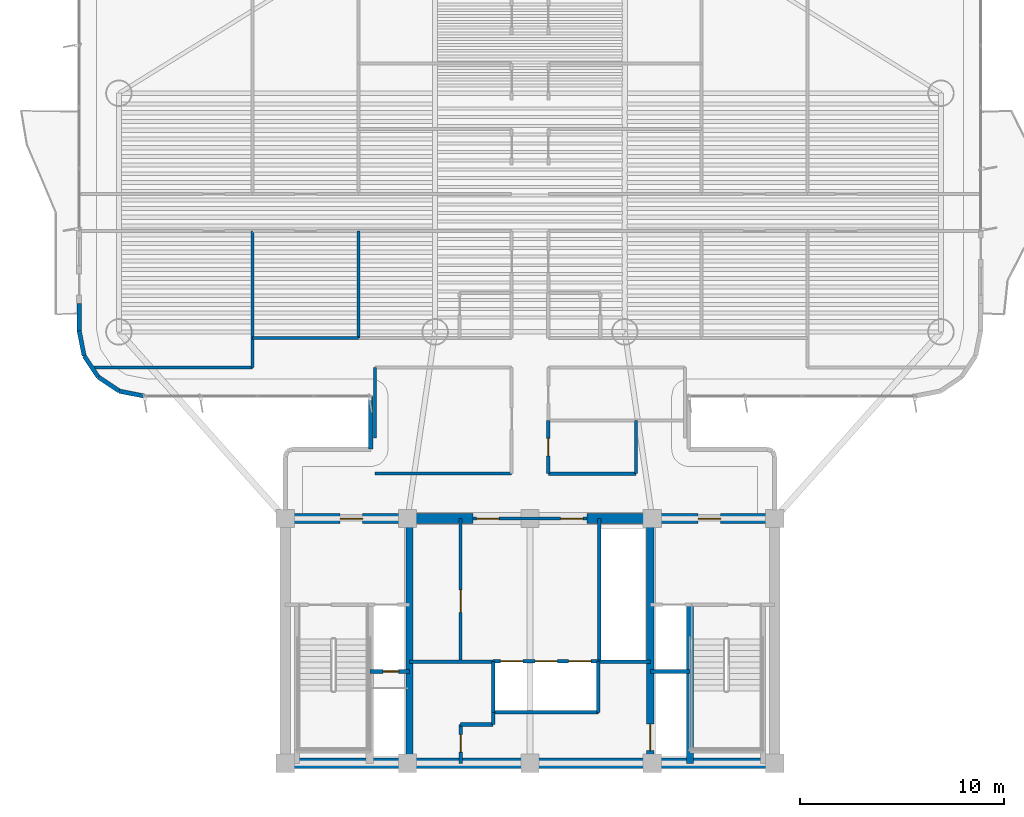
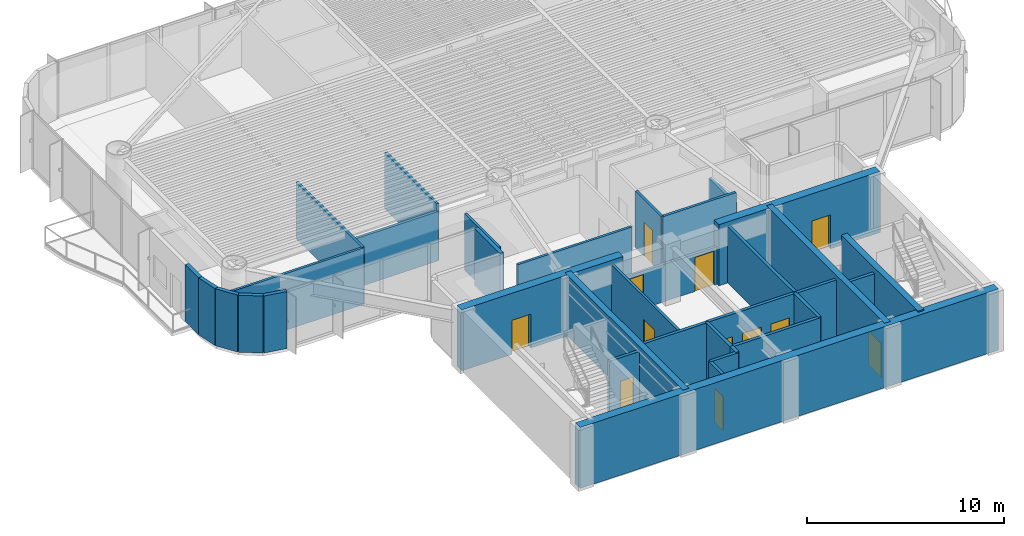
# One storey, part 9 of 16: 35 walls, 12 doors, 12 openings.
"""IFC4 building model written with IfcOpenShell, lengths in metres."""

from ifc_helpers import new_model, si_unit, direction, frame, frame_2d, origin, origin_2d, place, context, subcontext, project, spatial, rectangle, extrude, source, transform, mapped, material, layer, layer_set, type_object, element, fill, save


model = new_model("IFC4")

# Units and contexts
model_context = context("Model", 3, precision=1e-05, world=origin(), true_north=direction((0.0, 1.0)))
body_context = subcontext(model_context, "Body", "Model", "MODEL_VIEW")
ifc_project = project(units=[si_unit("LENGTHUNIT", "METRE"), si_unit("AREAUNIT", "SQUARE_METRE"), si_unit("VOLUMEUNIT", "CUBIC_METRE"), si_unit("PLANEANGLEUNIT", "RADIAN"), si_unit("MASSUNIT", "GRAM", prefix="KILO")], contexts=[model_context])

# Site, building, storey
site_placement = place(None, origin())
site = spatial("IfcSite", under=ifc_project, at=site_placement, CompositionType="ELEMENT")
building_placement = place(site_placement, origin())
building = spatial("IfcBuilding", under=site, at=building_placement, Name="Brelvock Crest Care Tower", CompositionType="ELEMENT")
storey_placement = place(building_placement, frame((0.0, 0.0, 104.93994140625)))
storey = spatial("IfcBuildingStorey", under=building, at=storey_placement, Name="L26", CompositionType="ELEMENT", Elevation=104.93994140625)

# Wall
ifc_material_1 = material(Name="Concrete S80 (80 MPa)", Category="concrete")
ifc_layer_1 = layer(ifc_material_1, 0.5, Name="WL-CS2")
ifc_layer_set_1 = layer_set([ifc_layer_1], Name="Concrete S80 (80 MPa)")
wall_type_1 = type_object("IfcWallType", Name="WL-CS2", PredefinedType="SHEAR", material=ifc_layer_set_1)
wall_1_placement = place(storey_placement, frame((48.25, 6.0, 0.0), z_axis=(0.0, 0.0, 1.0), x_axis=(-1.0, 0.0, 0.0)))
element("IfcWall", 1, at=wall_1_placement, inside=storey, type_object=wall_type_1, Name="L26 Core South Shear Wall", PredefinedType="SHEAR", context=body_context, shape_type="SweptSolid", body=[
    extrude(rectangle(XDim=24.5, YDim=0.5, at=frame_2d((12.25, 0.0))), origin(), (0.0, 0.0, 1.0), 3.780029296875),
])

# Wall, opening, door
wall_2_placement = place(storey_placement, frame((23.75, 18.0, 0.0), z_axis=(0.0, 0.0, 1.0), x_axis=(1.0, 0.0, 0.0)))
wall_2 = element("IfcWall", 2, at=wall_2_placement, inside=storey, type_object=wall_type_1, Name="L26 Core North-West Shear Wall", PredefinedType="SHEAR", context=body_context, shape_type="SweptSolid", body=[
    extrude(rectangle(XDim=9.449951171875, YDim=0.5, at=frame_2d((4.72509765625, 0.0))), origin(), (0.0, 0.0, 1.0), 3.780029296875),
])
opening_1_placement = place(wall_2_placement, frame((2.949951171875, 0.0, 0.0)))
opening_1 = element("IfcOpeningElement", 3, at=opening_1_placement, cuts=wall_2, Name="Opening FD-1", PredefinedType="OPENING", context=body_context, shape_type="SweptSolid", body=[
    extrude(rectangle(XDim=1.10009765625, YDim=2.10009765625, at=origin_2d()), frame((0.550048828125, 0.260009765625, 1.050048828125), z_axis=(0.0, -1.0, 0.0), x_axis=(1.0, 0.0, 0.0)), (0.0, 0.0, 1.0), 0.52001953125),
])
ifc_material_2 = material(Name="Steel Grade 350", Category="steel")
door_type_1 = type_object("IfcDoorType", Name="DR-FFL1", OperationType="NOTDEFINED", PredefinedType="DOOR", material=ifc_material_2)
shared_shape_1 = source(origin(), body_context, "Body", "SweptSolid", [
    extrude(rectangle(XDim=1.10009765625, YDim=2.10009765625, at=origin_2d()), frame((0.550048828125, 0.02490234375, 1.050048828125), z_axis=(0.0, -1.0, 0.0), x_axis=(1.0, 0.0, 0.0)), (0.0, 0.0, 1.0), 0.050048828125),
])
door_1_placement = place(opening_1_placement, origin())
door_1 = element("IfcDoor", 4, at=door_1_placement, inside=storey, type_object=door_type_1, Name="L26 Firefighting Lobby FFL-1 Exit Door", OperationType="SINGLE_SWING_LEFT", OverallHeight=2.10009765625, OverallWidth=1.10009765625, PredefinedType="DOOR", context=body_context, shape_type="MappedRepresentation", body=[
    mapped(shared_shape_1, transform((0.0, 0.0, 0.0), x_axis=(1.0, 0.0, 0.0), y_axis=(0.0, 1.0, 0.0), z_axis=(0.0, 0.0, 1.0), scale=1.0)),
])
fill(opening_1, door_1)

wall_3_placement = place(storey_placement, frame((38.800048828125, 18.0, 0.0), z_axis=(0.0, 0.0, 1.0), x_axis=(1.0, 0.0, 0.0)))
wall_3 = element("IfcWall", 5, at=wall_3_placement, inside=storey, type_object=wall_type_1, Name="L26 Core North-East Shear Wall", PredefinedType="SHEAR", context=body_context, shape_type="SweptSolid", body=[
    extrude(rectangle(XDim=9.449951171875, YDim=0.5, at=frame_2d((4.72509765625, 0.0))), origin(), (0.0, 0.0, 1.0), 3.780029296875),
])
opening_2_placement = place(wall_3_placement, frame((5.449951171875, 0.0, 0.0)))
opening_2 = element("IfcOpeningElement", 6, at=opening_2_placement, cuts=wall_3, Name="Opening FD-1", PredefinedType="OPENING", context=body_context, shape_type="SweptSolid", body=[
    extrude(rectangle(XDim=1.10009765625, YDim=2.10009765625, at=origin_2d()), frame((0.550048828125, 0.260009765625, 1.050048828125), z_axis=(0.0, -1.0, 0.0), x_axis=(1.0, 0.0, 0.0)), (0.0, 0.0, 1.0), 0.52001953125),
])
door_2_placement = place(opening_2_placement, origin())
door_2 = element("IfcDoor", 7, at=door_2_placement, inside=storey, type_object=door_type_1, Name="L26 Firefighting Lobby FFL-2 Exit Door", OperationType="SINGLE_SWING_RIGHT", OverallHeight=2.10009765625, OverallWidth=1.10009765625, PredefinedType="DOOR", context=body_context, shape_type="MappedRepresentation", body=[
    mapped(shared_shape_1, transform((0.0, 0.0, 0.0), x_axis=(1.0, 0.0, 0.0), y_axis=(0.0, 1.0, 0.0), z_axis=(0.0, 0.0, 1.0), scale=1.0)),
])
fill(opening_2, door_2)

# Wall
ifc_layer_2 = layer(ifc_material_1, 0.35009765625, Name="WL-CS5")
ifc_layer_set_2 = layer_set([ifc_layer_2], Name="Concrete S80 (80 MPa)")
wall_type_2 = type_object("IfcWallType", Name="WL-CS5", PredefinedType="SHEAR", material=ifc_layer_set_2)
wall_4_placement = place(storey_placement, frame((30.10009765625, 6.0, 0.0), z_axis=(0.0, 0.0, 1.0), x_axis=(0.0, 1.0, 0.0)))
element("IfcWall", 8, at=wall_4_placement, inside=storey, type_object=wall_type_2, Name="L26 Core Internal Web Wall West", PredefinedType="SHEAR", context=body_context, shape_type="SweptSolid", body=[
    extrude(rectangle(XDim=12.0, YDim=0.35009765625, at=frame_2d((6.0, 0.0))), origin(), (0.0, 0.0, 1.0), 3.780029296875),
])

# Wall, opening, door
wall_5_placement = place(storey_placement, frame((41.89990234375, 18.0, 0.0), z_axis=(0.0, 0.0, 1.0), x_axis=(0.0, -1.0, 0.0)))
wall_5 = element("IfcWall", 9, at=wall_5_placement, inside=storey, type_object=wall_type_2, Name="L26 Core Internal Web Wall East", PredefinedType="SHEAR", context=body_context, shape_type="SweptSolid", body=[
    extrude(rectangle(XDim=12.0, YDim=0.35009765625, at=frame_2d((6.0, 0.0))), origin(), (0.0, 0.0, 1.0), 3.780029296875),
])
opening_3_placement = place(wall_5_placement, frame((10.080078125, 0.0, 0.0)))
opening_3 = element("IfcOpeningElement", 10, at=opening_3_placement, cuts=wall_5, Name="Opening LD-S", PredefinedType="OPENING", context=body_context, shape_type="SweptSolid", body=[
    extrude(rectangle(XDim=1.300048828125, YDim=2.10009765625, at=origin_2d()), frame((0.64990234375, 0.18505859375, 1.050048828125), z_axis=(0.0, -1.0, 0.0), x_axis=(1.0, 0.0, 0.0)), (0.0, 0.0, 1.0), 0.3701171875),
])
door_type_2 = type_object("IfcDoorType", Name="DR-LDS1", OperationType="NOTDEFINED", PredefinedType="DOOR", material=ifc_material_2)
shared_shape_2 = source(origin(), body_context, "Body", "SweptSolid", [
    extrude(rectangle(XDim=1.300048828125, YDim=2.10009765625, at=origin_2d()), frame((0.64990234375, 0.02490234375, 1.050048828125), z_axis=(0.0, -1.0, 0.0), x_axis=(1.0, 0.0, 0.0)), (0.0, 0.0, 1.0), 0.050048828125),
])
door_3_placement = place(opening_3_placement, origin())
door_3 = element("IfcDoor", 11, at=door_3_placement, inside=storey, type_object=door_type_2, Name="L26 Clinical Bed Lift SL-1 Landing Door", OperationType="SLIDING_TO_LEFT", OverallHeight=2.10009765625, OverallWidth=1.300048828125, PredefinedType="DOOR", context=body_context, shape_type="MappedRepresentation", body=[
    mapped(shared_shape_2, transform((0.0, 0.0, 0.0), x_axis=(1.0, 0.0, 0.0), y_axis=(0.0, 1.0, 0.0), z_axis=(0.0, 0.0, 1.0), scale=1.0)),
])
fill(opening_3, door_3)

# Walls
wall_6_placement = place(storey_placement, frame((43.85009765625, 6.0, 0.0), z_axis=(0.0, 0.0, 1.0), x_axis=(0.0, 1.0, 0.0)))
element("IfcWall", 12, at=wall_6_placement, inside=storey, type_object=wall_type_2, Name="L26 Core Stair ST-2 West Shear Wall", PredefinedType="SHEAR", context=body_context, shape_type="SweptSolid", body=[
    extrude(rectangle(XDim=7.780029296875, YDim=0.35009765625, at=frame_2d((3.89013671875, 0.0))), origin(), (0.0, 0.0, 1.0), 3.85009765625),
])
ifc_material_3 = material(Name="Precast concrete N40 (40 MPa)", Category="concrete")
ifc_layer_3 = layer(ifc_material_3, 0.215087890625, Name="WL-EX2")
ifc_layer_set_3 = layer_set([ifc_layer_3], Name="Precast concrete N40 (40 MPa)")
wall_type_3 = type_object("IfcWallType", Name="WL-EX2", PredefinedType="SOLIDWALL", material=ifc_layer_set_3)
wall_7_placement = place(storey_placement, frame((28.199951171875, 21.39990234375, 0.0), z_axis=(0.0, 0.0, 1.0), x_axis=(0.0, 1.0, 0.0)))
element("IfcWall", 13, at=wall_7_placement, inside=storey, type_object=wall_type_3, Name="L26 Rounded Corner Wall 11", PredefinedType="SOLIDWALL", context=body_context, shape_type="SweptSolid", body=[
    extrude(rectangle(XDim=2.60009765625, YDim=0.215087890625, at=frame_2d((1.300048828125, 0.0))), origin(), (0.0, 0.0, 1.0), 3.530029296875),
])
for number, where, z_axis, x_axis, name in (
    (14, (17.10009765625, 24.0, 0.0), (0.0, 0.0, 1.0), (-0.980775717779, 0.195138390419, 0.0), "L26 Rounded Corner Wall 13"),
    (15, (15.87548828125, 24.24365234375, 0.0), (0.0, 0.0, 1.0), (-0.831478245117, 0.555557312883, 0.0), "L26 Rounded Corner Wall 14"),
    (16, (14.83740234375, 24.937255859375, 0.0), (0.0, 0.0, 1.0), (-0.555692485475, 0.831387912822, 0.0), "L26 Rounded Corner Wall 15"),
    (17, (14.1435546875, 25.975341796875, 0.0), (0.0, 0.0, 1.0), (-0.195138390419, 0.980775717779, 0.0), "L26 Rounded Corner Wall 16"),
):
    element("IfcWall", number, at=place(storey_placement, frame(where, z_axis=z_axis, x_axis=x_axis)), inside=storey, type_object=wall_type_3, Name=name, PredefinedType="SOLIDWALL", context=body_context, shape_type="SweptSolid", body=[
        extrude(rectangle(XDim=1.24853515625, YDim=0.215087890625, at=frame_2d((0.624267578125, 0.0))), origin(), (0.0, 0.0, 1.0), 3.530029296875),
    ])
wall_8_placement = place(storey_placement, frame((13.89990234375, 27.199951171875, 0.0), z_axis=(0.0, 0.0, 1.0), x_axis=(0.0, 1.0, 0.0)))
element("IfcWall", 18, at=wall_8_placement, inside=storey, type_object=wall_type_3, Name="L26 Exterior Spandrel Pier E17A", PredefinedType="SOLIDWALL", context=body_context, shape_type="SweptSolid", body=[
    extrude(rectangle(XDim=1.35009765625, YDim=0.215087890625, at=frame_2d((0.675048828125, 0.0))), origin(), (0.0, 0.0, 1.0), 3.530029296875),
])

# Wall, opening, door
ifc_material_4 = material(Name="Masonry Blockwork Acoustic Partition", Category="masonry")
ifc_layer_4 = layer(ifc_material_4, 0.14990234375, Name="WL-INT1")
ifc_layer_set_4 = layer_set([ifc_layer_4], Name="Masonry Blockwork Acoustic Partition")
wall_type_4 = type_object("IfcWallType", Name="WL-INT1", PredefinedType="PARTITIONING", material=ifc_layer_set_4)
wall_9_placement = place(storey_placement, frame((32.60009765625, 11.0, 0.0), z_axis=(0.0, 0.0, 1.0), x_axis=(0.0, 1.0, 0.0)))
wall_9 = element("IfcWall", 19, at=wall_9_placement, inside=storey, type_object=wall_type_4, Name="L26 Interior Wall WL-CRCL-E-L26", PredefinedType="PARTITIONING", context=body_context, shape_type="SweptSolid", body=[
    extrude(rectangle(XDim=7.0, YDim=0.14990234375, at=frame_2d((3.5, 0.0))), origin(), (0.0, 0.0, 1.0), 3.5),
])
opening_4_placement = place(wall_9_placement, frame((2.39990234375, 0.0, 0.0)))
opening_4 = element("IfcOpeningElement", 20, at=opening_4_placement, cuts=wall_9, Name="Opening PD-1", PredefinedType="OPENING", context=body_context, shape_type="SweptSolid", body=[
    extrude(rectangle(XDim=1.10009765625, YDim=2.10009765625, at=origin_2d()), frame((0.550048828125, 0.0849609375, 1.050048828125), z_axis=(0.0, -1.0, 0.0), x_axis=(1.0, 0.0, 0.0)), (0.0, 0.0, 1.0), 0.169921875),
])
door_type_3 = type_object("IfcDoorType", Name="DR-PLT1", OperationType="NOTDEFINED", PredefinedType="DOOR", material=ifc_material_2)
shared_shape_3 = source(origin(), body_context, "Body", "SweptSolid", [
    extrude(rectangle(XDim=1.10009765625, YDim=2.10009765625, at=origin_2d()), frame((0.550048828125, 0.02490234375, 1.050048828125), z_axis=(0.0, -1.0, 0.0), x_axis=(1.0, 0.0, 0.0)), (0.0, 0.0, 1.0), 0.050048828125),
])
door_4_placement = place(opening_4_placement, origin())
door_4 = element("IfcDoor", 21, at=door_4_placement, inside=storey, type_object=door_type_3, Name="DR-CRCL1-L26", OperationType="SINGLE_SWING_LEFT", OverallHeight=2.10009765625, OverallWidth=1.10009765625, PredefinedType="DOOR", context=body_context, shape_type="MappedRepresentation", body=[
    mapped(shared_shape_3, transform((0.0, 0.0, 0.0), x_axis=(1.0, 0.0, 0.0), y_axis=(0.0, 1.0, 0.0), z_axis=(0.0, 0.0, 1.0), scale=1.0)),
])
fill(opening_4, door_4)

# Wall, openings, doors
wall_10_placement = place(storey_placement, frame((33.199951171875, 18.0, 0.0), z_axis=(0.0, 0.0, 1.0), x_axis=(1.0, 0.0, 0.0)))
wall_10 = element("IfcWall", 22, at=wall_10_placement, inside=storey, type_object=wall_type_4, Name="L26 Interior Wall WL-CORE-NPORT-L26", PredefinedType="PARTITIONING", context=body_context, shape_type="SweptSolid", body=[
    extrude(rectangle(XDim=5.60009765625, YDim=0.14990234375, at=frame_2d((2.800048828125, 0.0))), origin(), (0.0, 0.0, 1.0), 2.31494140625),
])
opening_5_placement = place(wall_10_placement, frame((0.18994140625, 0.0, 0.0)))
opening_5 = element("IfcOpeningElement", 23, at=opening_5_placement, cuts=wall_10, Name="Opening FD-1", PredefinedType="OPENING", context=body_context, shape_type="SweptSolid", body=[
    extrude(rectangle(XDim=1.10009765625, YDim=2.10009765625, at=origin_2d()), frame((0.550048828125, 0.0849609375, 1.050048828125), z_axis=(0.0, -1.0, 0.0), x_axis=(1.0, 0.0, 0.0)), (0.0, 0.0, 1.0), 0.169921875),
])
opening_6_placement = place(wall_10_placement, frame((4.31005859375, 0.0, 0.0)))
opening_6 = element("IfcOpeningElement", 24, at=opening_6_placement, cuts=wall_10, Name="Opening FD-1", PredefinedType="OPENING", context=body_context, shape_type="SweptSolid", body=[
    extrude(rectangle(XDim=1.10009765625, YDim=2.10009765625, at=origin_2d()), frame((0.550048828125, 0.0849609375, 1.050048828125), z_axis=(0.0, -1.0, 0.0), x_axis=(1.0, 0.0, 0.0)), (0.0, 0.0, 1.0), 0.169921875),
])
door_5_placement = place(opening_5_placement, origin())
door_5 = element("IfcDoor", 25, at=door_5_placement, inside=storey, type_object=door_type_1, Name="L26 Lift Lobby North Smoke Door West", OperationType="SINGLE_SWING_LEFT", OverallHeight=2.10009765625, OverallWidth=1.10009765625, PredefinedType="DOOR", context=body_context, shape_type="MappedRepresentation", body=[
    mapped(shared_shape_1, transform((0.0, 0.0, 0.0), x_axis=(1.0, 0.0, 0.0), y_axis=(0.0, 1.0, 0.0), z_axis=(0.0, 0.0, 1.0), scale=1.0)),
])
fill(opening_5, door_5)
door_6_placement = place(opening_6_placement, origin())
door_6 = element("IfcDoor", 26, at=door_6_placement, inside=storey, type_object=door_type_1, Name="L26 Lift Lobby North Smoke Door East", OperationType="SINGLE_SWING_RIGHT", OverallHeight=2.10009765625, OverallWidth=1.10009765625, PredefinedType="DOOR", context=body_context, shape_type="MappedRepresentation", body=[
    mapped(shared_shape_1, transform((0.0, 0.0, 0.0), x_axis=(1.0, 0.0, 0.0), y_axis=(0.0, 1.0, 0.0), z_axis=(0.0, 0.0, 1.0), scale=1.0)),
])
fill(opening_6, door_6)

# Walls
wall_11_placement = place(storey_placement, frame((28.39990234375, 20.199951171875, 0.0), z_axis=(0.0, 0.0, 1.0), x_axis=(1.0, 0.0, 0.0)))
element("IfcWall", 27, at=wall_11_placement, inside=storey, type_object=wall_type_4, Name="L26 Interior Wall WL-BX-L26-THW-S", PredefinedType="PARTITIONING", context=body_context, shape_type="SweptSolid", body=[
    extrude(rectangle(XDim=6.7001953125, YDim=0.14990234375, at=frame_2d((3.35009765625, 0.0))), origin(), (0.0, 0.0, 1.0), 3.5),
])
wall_12_placement = place(storey_placement, frame((14.624267578125, 25.39990234375, 0.0), z_axis=(0.0, 0.0, 1.0), x_axis=(1.0, 0.0, 0.0)))
element("IfcWall", 28, at=wall_12_placement, inside=storey, type_object=wall_type_4, Name="L26 Interior Wall WL-BX-L26-SWB-S2", PredefinedType="PARTITIONING", context=body_context, shape_type="SweptSolid", body=[
    extrude(rectangle(XDim=7.775634765625, YDim=0.14990234375, at=frame_2d((3.8876953125, 0.0))), origin(), (0.0, 0.0, 1.0), 3.5),
])
wall_13_placement = place(storey_placement, frame((22.39990234375, 26.85009765625, 0.0), z_axis=(0.0, 0.0, 1.0), x_axis=(1.0, 0.0, 0.0)))
element("IfcWall", 29, at=wall_13_placement, inside=storey, type_object=wall_type_4, Name="L26 Interior Wall WL-BX-L26-ISWD-S", PredefinedType="PARTITIONING", context=body_context, shape_type="SweptSolid", body=[
    extrude(rectangle(XDim=5.2001953125, YDim=0.14990234375, at=frame_2d((2.60009765625, 0.0))), origin(), (0.0, 0.0, 1.0), 3.05517578125),
])
wall_14_placement = place(storey_placement, frame((22.39990234375, 25.39990234375, 0.0), z_axis=(0.0, 0.0, 1.0), x_axis=(0.0, 1.0, 0.0)))
element("IfcWall", 30, at=wall_14_placement, inside=storey, type_object=wall_type_4, Name="L26 Interior Wall WL-BX-L26-SWB-E", PredefinedType="PARTITIONING", context=body_context, shape_type="SweptSolid", body=[
    extrude(rectangle(XDim=6.7001953125, YDim=0.14990234375, at=frame_2d((3.35009765625, 0.0))), origin(), (0.0, 0.0, 1.0), 3.5),
])
wall_15_placement = place(storey_placement, frame((27.60009765625, 26.85009765625, 0.0), z_axis=(0.0, 0.0, 1.0), x_axis=(0.0, 1.0, 0.0)))
element("IfcWall", 31, at=wall_15_placement, inside=storey, type_object=wall_type_4, Name="L26 Interior Wall WL-BX-L26-CS-ISWC-W", PredefinedType="PARTITIONING", context=body_context, shape_type="SweptSolid", body=[
    extrude(rectangle(XDim=5.25, YDim=0.14990234375, at=frame_2d((2.625, 0.0))), origin(), (0.0, 0.0, 1.0), 3.5),
])
wall_16_placement = place(storey_placement, frame((28.39990234375, 21.957275390625, 0.0), z_axis=(0.0, 0.0, 1.0), x_axis=(0.0, 1.0, 0.0)))
element("IfcWall", 32, at=wall_16_placement, inside=storey, type_object=wall_type_4, Name="L26 Interior Wall WL-BX-L26-THW-W2", PredefinedType="PARTITIONING", context=body_context, shape_type="SweptSolid", body=[
    extrude(rectangle(XDim=3.442626953125, YDim=0.14990234375, at=frame_2d((1.72119140625, 0.0))), origin(), (0.0, 0.0, 1.0), 3.5),
])
ifc_material_5 = material(Name="Gypsum Plasterboard Partition", Category="gypsum")
ifc_layer_5 = layer(ifc_material_5, 0.159912109375, Name="WL-PLM1")
ifc_layer_set_5 = layer_set([ifc_layer_5], Name="Gypsum Plasterboard Partition")
wall_type_5 = type_object("IfcWallType", Name="WL-PLM1", PredefinedType="PLUMBINGWALL", material=ifc_layer_set_5)
wall_17_placement = place(storey_placement, frame((36.89990234375, 20.199951171875, 0.0), z_axis=(0.0, 0.0, 1.0), x_axis=(1.0, 0.0, 0.0)))
element("IfcWall", 33, at=wall_17_placement, inside=storey, type_object=wall_type_5, Name="L26 Interior Wall WL-BX-L26-THE1-S", PredefinedType="PLUMBINGWALL", context=body_context, shape_type="SweptSolid", body=[
    extrude(rectangle(XDim=4.300048828125, YDim=0.159912109375, at=frame_2d((2.14990234375, 0.0))), origin(), (0.0, 0.0, 1.0), 3.5),
])

# Wall, opening, door
wall_18_placement = place(storey_placement, frame((36.89990234375, 20.199951171875, 0.0), z_axis=(0.0, 0.0, 1.0), x_axis=(0.0, 1.0, 0.0)))
wall_18 = element("IfcWall", 34, at=wall_18_placement, inside=storey, type_object=wall_type_5, Name="L26 Interior Wall WL-RM-L26-THE1", PredefinedType="PLUMBINGWALL", context=body_context, shape_type="SweptSolid", body=[
    extrude(rectangle(XDim=2.60009765625, YDim=0.159912109375, at=frame_2d((1.300048828125, 0.0))), origin(), (0.0, 0.0, 1.0), 3.5),
])
opening_7_placement = place(wall_18_placement, frame((0.8701171875, 0.0, 0.0)))
opening_7 = element("IfcOpeningElement", 35, at=opening_7_placement, cuts=wall_18, Name="Opening WD-1", PredefinedType="OPENING", context=body_context, shape_type="SweptSolid", body=[
    extrude(rectangle(XDim=0.860107421875, YDim=2.10009765625, at=origin_2d()), frame((0.43017578125, 0.08984375, 1.050048828125), z_axis=(0.0, -1.0, 0.0), x_axis=(1.0, 0.0, 0.0)), (0.0, 0.0, 1.0), 0.179931640625),
])
ifc_material_6 = material(Name="Engineered Hardwood Timber", Category="wood")
door_type_4 = type_object("IfcDoorType", Name="DR-WC1", OperationType="NOTDEFINED", PredefinedType="DOOR", material=ifc_material_6)
shared_shape_4 = source(origin(), body_context, "Body", "SweptSolid", [
    extrude(rectangle(XDim=0.860107421875, YDim=2.10009765625, at=origin_2d()), frame((0.43017578125, 0.02490234375, 1.050048828125), z_axis=(0.0, -1.0, 0.0), x_axis=(1.0, 0.0, 0.0)), (0.0, 0.0, 1.0), 0.050048828125),
])
door_7_placement = place(opening_7_placement, origin())
door_7 = element("IfcDoor", 36, at=door_7_placement, inside=storey, type_object=door_type_4, Name="L26 Floor Accessible WC Door THE1", OperationType="SINGLE_SWING_LEFT", OverallHeight=2.10009765625, OverallWidth=0.860107421875, PredefinedType="DOOR", context=body_context, shape_type="MappedRepresentation", body=[
    mapped(shared_shape_4, transform((0.0, 0.0, 0.0), x_axis=(1.0, 0.0, 0.0), y_axis=(0.0, 1.0, 0.0), z_axis=(0.0, 0.0, 1.0), scale=1.0)),
])
fill(opening_7, door_7)

# Walls
wall_19_placement = place(storey_placement, frame((41.199951171875, 20.199951171875, 0.0), z_axis=(0.0, 0.0, 1.0), x_axis=(0.0, 1.0, 0.0)))
element("IfcWall", 37, at=wall_19_placement, inside=storey, type_object=wall_type_5, Name="L26 Interior Wall WL-BX-L26-THE1-E", PredefinedType="PLUMBINGWALL", context=body_context, shape_type="SweptSolid", body=[
    extrude(rectangle(XDim=2.60009765625, YDim=0.159912109375, at=frame_2d((1.300048828125, 0.0))), origin(), (0.0, 0.0, 1.0), 2.81494140625),
])
ifc_layer_6 = layer(ifc_material_4, 0.179931640625, Name="WL-SHF1")
ifc_layer_set_6 = layer_set([ifc_layer_6], Name="Masonry Blockwork Acoustic Partition")
wall_type_6 = type_object("IfcWallType", Name="WL-SHF1", PredefinedType="PARTITIONING", material=ifc_layer_set_6)
wall_20_placement = place(storey_placement, frame((34.199951171875, 8.5, 0.0), z_axis=(0.0, 0.0, 1.0), x_axis=(1.0, 0.0, 0.0)))
element("IfcWall", 38, at=wall_20_placement, inside=storey, type_object=wall_type_6, Name="L26 Interior Wall WL-PLM-S-L26", PredefinedType="PARTITIONING", context=body_context, shape_type="SweptSolid", body=[
    extrude(rectangle(XDim=5.150146484375, YDim=0.179931640625, at=frame_2d((2.5751953125, 0.0))), origin(), (0.0, 0.0, 1.0), 3.5),
])
for number, where, z_axis, x_axis, name in (
    (39, (34.199951171875, 8.5, 0.0), (0.0, 0.0, 1.0), (0.0, 1.0, 0.0), "L26 Interior Wall WL-PLM-W-L26"),
    (40, (39.35009765625, 8.5, 0.0), (0.0, 0.0, 1.0), (0.0, 1.0, 0.0), "L26 Interior Wall WL-PLM-E-L26"),
):
    element("IfcWall", number, at=place(storey_placement, frame(where, z_axis=z_axis, x_axis=x_axis)), inside=storey, type_object=wall_type_6, Name=name, PredefinedType="PARTITIONING", context=body_context, shape_type="SweptSolid", body=[
        extrude(rectangle(XDim=2.5, YDim=0.179931640625, at=frame_2d((1.25, 0.0))), origin(), (0.0, 0.0, 1.0), 3.5),
    ])
wall_21_placement = place(storey_placement, frame((39.39990234375, 11.0, 0.0), z_axis=(0.0, 0.0, 1.0), x_axis=(0.0, 1.0, 0.0)))
element("IfcWall", 41, at=wall_21_placement, inside=storey, type_object=wall_type_6, Name="L26 Interior Wall WL-PLH-SHF-L26", PredefinedType="PARTITIONING", context=body_context, shape_type="SweptSolid", body=[
    extrude(rectangle(XDim=7.0, YDim=0.179931640625, at=frame_2d((3.5, 0.0))), origin(), (0.0, 0.0, 1.0), 3.5),
])
wall_22_placement = place(storey_placement, frame((30.10009765625, 10.97998046875, 0.0), z_axis=(0.0, 0.0, 1.0), x_axis=(1.0, 0.0, 0.0)))
element("IfcWall", 42, at=wall_22_placement, inside=storey, type_object=wall_type_6, Name="L26 Interior Wall WL-CSBW-N-L26", PredefinedType="PARTITIONING", context=body_context, shape_type="SweptSolid", body=[
    extrude(rectangle(XDim=4.079833984375, YDim=0.179931640625, at=frame_2d((2.0400390625, 0.0))), origin(), (0.0, 0.0, 1.0), 3.5),
])
wall_23_placement = place(storey_placement, frame((34.199951171875, 7.89990234375, 0.0), z_axis=(0.0, 0.0, 1.0), x_axis=(0.0, 1.0, 0.0)))
element("IfcWall", 43, at=wall_23_placement, inside=storey, type_object=wall_type_6, Name="L26 Interior Wall WL-CSBW-E2-L26", PredefinedType="PARTITIONING", context=body_context, shape_type="SweptSolid", body=[
    extrude(rectangle(XDim=0.60009765625, YDim=0.179931640625, at=frame_2d((0.300048828125, 0.0))), origin(), (0.0, 0.0, 1.0), 3.5),
])
wall_24_placement = place(storey_placement, frame((32.60009765625, 7.89990234375, 0.0), z_axis=(0.0, 0.0, 1.0), x_axis=(1.0, 0.0, 0.0)))
element("IfcWall", 44, at=wall_24_placement, inside=storey, type_object=wall_type_6, Name="L26 Interior Wall WL-CSBW-S2-L26", PredefinedType="PARTITIONING", context=body_context, shape_type="SweptSolid", body=[
    extrude(rectangle(XDim=1.599853515625, YDim=0.179931640625, at=frame_2d((0.7998046875, 0.0))), origin(), (0.0, 0.0, 1.0), 3.5),
])

# Wall, opening, door
wall_25_placement = place(storey_placement, frame((32.60009765625, 6.0, 0.0), z_axis=(0.0, 0.0, 1.0), x_axis=(0.0, 1.0, 0.0)))
wall_25 = element("IfcWall", 45, at=wall_25_placement, inside=storey, type_object=wall_type_6, Name="L26 Interior Wall WL-CSBW-E1-L26", PredefinedType="PARTITIONING", context=body_context, shape_type="SweptSolid", body=[
    extrude(rectangle(XDim=1.89990234375, YDim=0.179931640625, at=frame_2d((0.949951171875, 0.0))), origin(), (0.0, 0.0, 1.0), 3.5),
])
opening_8_placement = place(wall_25_placement, frame((0.550048828125, 0.0, 0.0)))
opening_8 = element("IfcOpeningElement", 46, at=opening_8_placement, cuts=wall_25, Name="Opening ID-1", PredefinedType="OPENING", context=body_context, shape_type="SweptSolid", body=[
    extrude(rectangle(XDim=0.860107421875, YDim=2.10009765625, at=origin_2d()), frame((0.43017578125, 0.10009765625, 1.050048828125), z_axis=(0.0, -1.0, 0.0), x_axis=(1.0, 0.0, 0.0)), (0.0, 0.0, 1.0), 0.199951171875),
])
door_type_5 = type_object("IfcDoorType", Name="DR-INT1", OperationType="NOTDEFINED", PredefinedType="DOOR", material=ifc_material_6)
shared_shape_5 = source(origin(), body_context, "Body", "SweptSolid", [
    extrude(rectangle(XDim=0.860107421875, YDim=2.10009765625, at=origin_2d()), frame((0.43017578125, 0.02490234375, 1.050048828125), z_axis=(0.0, -1.0, 0.0), x_axis=(1.0, 0.0, 0.0)), (0.0, 0.0, 1.0), 0.050048828125),
])
door_8_placement = place(opening_8_placement, origin())
door_8 = element("IfcDoor", 47, at=door_8_placement, inside=storey, type_object=door_type_5, Name="DR-CSBW-L26", OperationType="SINGLE_SWING_LEFT", OverallHeight=2.10009765625, OverallWidth=0.860107421875, PredefinedType="DOOR", context=body_context, shape_type="MappedRepresentation", body=[
    mapped(shared_shape_5, transform((0.0, 0.0, 0.0), x_axis=(1.0, 0.0, 0.0), y_axis=(0.0, 1.0, 0.0), z_axis=(0.0, 0.0, 1.0), scale=1.0)),
])
fill(opening_8, door_8)

# Wall
wall_26_placement = place(storey_placement, frame((39.35009765625, 10.97998046875, 0.0), z_axis=(0.0, 0.0, 1.0), x_axis=(1.0, 0.0, 0.0)))
element("IfcWall", 48, at=wall_26_placement, inside=storey, type_object=wall_type_6, Name="L26 Interior Wall WL-CSBE-N-L26", PredefinedType="PARTITIONING", context=body_context, shape_type="SweptSolid", body=[
    extrude(rectangle(XDim=2.5498046875, YDim=0.179931640625, at=frame_2d((1.27490234375, 0.0))), origin(), (0.0, 0.0, 1.0), 3.5),
])

# Wall, opening, door
wall_27_placement = place(storey_placement, frame((28.14990234375, 10.5, 0.0), z_axis=(0.0, 0.0, 1.0), x_axis=(1.0, 0.0, 0.0)))
wall_27 = element("IfcWall", 49, at=wall_27_placement, inside=storey, type_object=wall_type_6, Name="L26 Interior Wall WL-FFH1-S-L26", PredefinedType="PARTITIONING", context=body_context, shape_type="SweptSolid", body=[
    extrude(rectangle(XDim=1.9501953125, YDim=0.179931640625, at=frame_2d((0.97509765625, 0.0))), origin(), (0.0, 0.0, 1.0), 3.5),
])
opening_9_placement = place(wall_27_placement, frame((0.64990234375, 0.0, 0.0)))
opening_9 = element("IfcOpeningElement", 50, at=opening_9_placement, cuts=wall_27, Name="Opening RD-1", PredefinedType="OPENING", context=body_context, shape_type="SweptSolid", body=[
    extrude(rectangle(XDim=0.760009765625, YDim=2.050048828125, at=origin_2d()), frame((0.3798828125, 0.10009765625, 1.02490234375), z_axis=(0.0, -1.0, 0.0), x_axis=(1.0, 0.0, 0.0)), (0.0, 0.0, 1.0), 0.199951171875),
])
door_type_6 = type_object("IfcDoorType", Name="DR-RIS1", OperationType="NOTDEFINED", PredefinedType="DOOR", material=ifc_material_2)
shared_shape_6 = source(origin(), body_context, "Body", "SweptSolid", [
    extrude(rectangle(XDim=0.760009765625, YDim=2.050048828125, at=origin_2d()), frame((0.3798828125, 0.02490234375, 1.02490234375), z_axis=(0.0, -1.0, 0.0), x_axis=(1.0, 0.0, 0.0)), (0.0, 0.0, 1.0), 0.050048828125),
])
door_9_placement = place(opening_9_placement, origin())
door_9 = element("IfcDoor", 51, at=door_9_placement, inside=storey, type_object=door_type_6, Name="L26 Wet Fire Riser Access Door", OperationType="SINGLE_SWING_LEFT", OverallHeight=2.050048828125, OverallWidth=0.760009765625, PredefinedType="DOOR", context=body_context, shape_type="MappedRepresentation", body=[
    mapped(shared_shape_6, transform((0.0, 0.0, 0.0), x_axis=(1.0, 0.0, 0.0), y_axis=(0.0, 1.0, 0.0), z_axis=(0.0, 0.0, 1.0), scale=1.0)),
])
fill(opening_9, door_9)

# Wall
wall_28_placement = place(storey_placement, frame((41.89990234375, 10.5, 0.0), z_axis=(0.0, 0.0, 1.0), x_axis=(1.0, 0.0, 0.0)))
element("IfcWall", 52, at=wall_28_placement, inside=storey, type_object=wall_type_6, Name="L26 Interior Wall WL-FFH2-S-L26", PredefinedType="PARTITIONING", context=body_context, shape_type="SweptSolid", body=[
    extrude(rectangle(XDim=1.9501953125, YDim=0.179931640625, at=frame_2d((0.97509765625, 0.0))), origin(), (0.0, 0.0, 1.0), 3.5),
])

# Wall, openings, doors
wall_29_placement = place(storey_placement, frame((34.199951171875, 11.0, 0.0), z_axis=(0.0, 0.0, 1.0), x_axis=(1.0, 0.0, 0.0)))
wall_29 = element("IfcWall", 53, at=wall_29_placement, inside=storey, type_object=wall_type_6, Name="L26 Interior Wall WL-PLM-BANK-L26", PredefinedType="PARTITIONING", context=body_context, shape_type="SweptSolid", body=[
    extrude(rectangle(XDim=5.150146484375, YDim=0.179931640625, at=frame_2d((2.5751953125, 0.0))), origin(), (0.0, 0.0, 1.0), 3.5),
])
opening_10_placement = place(wall_29_placement, frame((0.35009765625, 0.0, 0.0)))
opening_10 = element("IfcOpeningElement", 54, at=opening_10_placement, cuts=wall_29, Name="Opening LD", PredefinedType="OPENING", context=body_context, shape_type="SweptSolid", body=[
    extrude(rectangle(XDim=1.10009765625, YDim=2.10009765625, at=origin_2d()), frame((0.550048828125, 0.10009765625, 1.050048828125), z_axis=(0.0, -1.0, 0.0), x_axis=(1.0, 0.0, 0.0)), (0.0, 0.0, 1.0), 0.199951171875),
])
opening_11_placement = place(wall_29_placement, frame((2.050048828125, 0.0, 0.0)))
opening_11 = element("IfcOpeningElement", 55, at=opening_11_placement, cuts=wall_29, Name="Opening LD", PredefinedType="OPENING", context=body_context, shape_type="SweptSolid", body=[
    extrude(rectangle(XDim=1.10009765625, YDim=2.10009765625, at=origin_2d()), frame((0.550048828125, 0.10009765625, 1.050048828125), z_axis=(0.0, -1.0, 0.0), x_axis=(1.0, 0.0, 0.0)), (0.0, 0.0, 1.0), 0.199951171875),
])
opening_12_placement = place(wall_29_placement, frame((3.699951171875, 0.0, 0.0)))
opening_12 = element("IfcOpeningElement", 56, at=opening_12_placement, cuts=wall_29, Name="Opening LD", PredefinedType="OPENING", context=body_context, shape_type="SweptSolid", body=[
    extrude(rectangle(XDim=1.10009765625, YDim=2.10009765625, at=origin_2d()), frame((0.550048828125, 0.10009765625, 1.050048828125), z_axis=(0.0, -1.0, 0.0), x_axis=(1.0, 0.0, 0.0)), (0.0, 0.0, 1.0), 0.199951171875),
])
door_type_7 = type_object("IfcDoorType", Name="DR-LD1", OperationType="NOTDEFINED", PredefinedType="DOOR", material=ifc_material_2)
shared_shape_7 = source(origin(), body_context, "Body", "SweptSolid", [
    extrude(rectangle(XDim=1.10009765625, YDim=2.10009765625, at=origin_2d()), frame((0.550048828125, 0.02490234375, 1.050048828125), z_axis=(0.0, -1.0, 0.0), x_axis=(1.0, 0.0, 0.0)), (0.0, 0.0, 1.0), 0.050048828125),
])
door_10_placement = place(opening_10_placement, origin())
door_10 = element("IfcDoor", 57, at=door_10_placement, inside=storey, type_object=door_type_7, Name="L26 Lift PL-M1 Landing Door", OperationType="SLIDING_TO_LEFT", OverallHeight=2.10009765625, OverallWidth=1.10009765625, PredefinedType="DOOR", context=body_context, shape_type="MappedRepresentation", body=[
    mapped(shared_shape_7, transform((0.0, 0.0, 0.0), x_axis=(1.0, 0.0, 0.0), y_axis=(0.0, 1.0, 0.0), z_axis=(0.0, 0.0, 1.0), scale=1.0)),
])
fill(opening_10, door_10)
door_11_placement = place(opening_11_placement, origin())
door_11 = element("IfcDoor", 58, at=door_11_placement, inside=storey, type_object=door_type_7, Name="L26 Lift PL-M2 Landing Door", OperationType="SLIDING_TO_LEFT", OverallHeight=2.10009765625, OverallWidth=1.10009765625, PredefinedType="DOOR", context=body_context, shape_type="MappedRepresentation", body=[
    mapped(shared_shape_7, transform((0.0, 0.0, 0.0), x_axis=(1.0, 0.0, 0.0), y_axis=(0.0, 1.0, 0.0), z_axis=(0.0, 0.0, 1.0), scale=1.0)),
])
fill(opening_11, door_11)
door_12_placement = place(opening_12_placement, origin())
door_12 = element("IfcDoor", 59, at=door_12_placement, inside=storey, type_object=door_type_7, Name="L26 Lift PL-M3 Landing Door", OperationType="SLIDING_TO_LEFT", OverallHeight=2.10009765625, OverallWidth=1.10009765625, PredefinedType="DOOR", context=body_context, shape_type="MappedRepresentation", body=[
    mapped(shared_shape_7, transform((0.0, 0.0, 0.0), x_axis=(1.0, 0.0, 0.0), y_axis=(0.0, 1.0, 0.0), z_axis=(0.0, 0.0, 1.0), scale=1.0)),
])
fill(opening_12, door_12)

save(model, "model.ifc")
